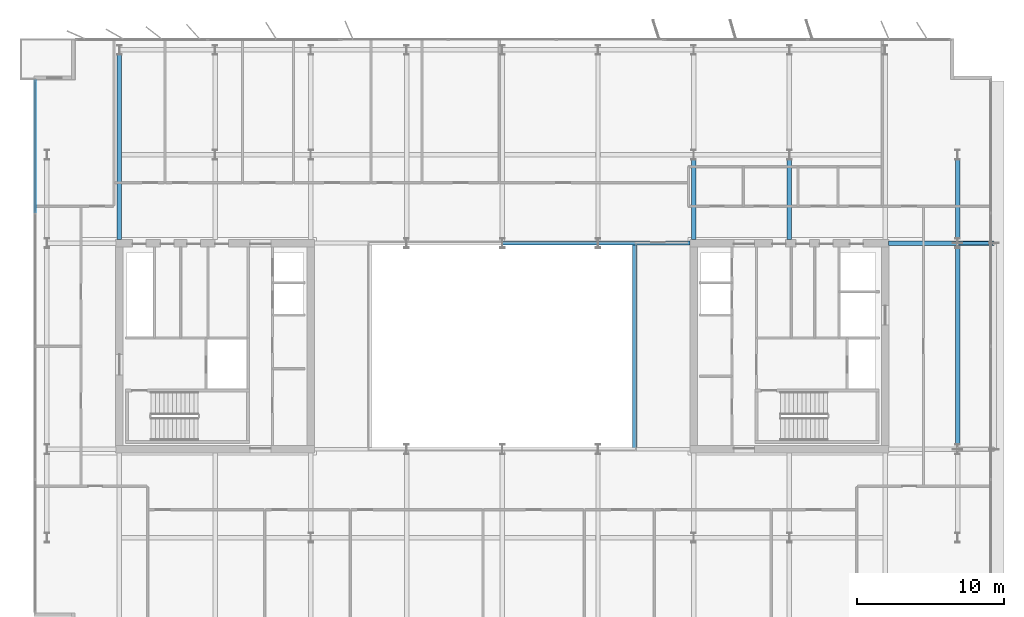
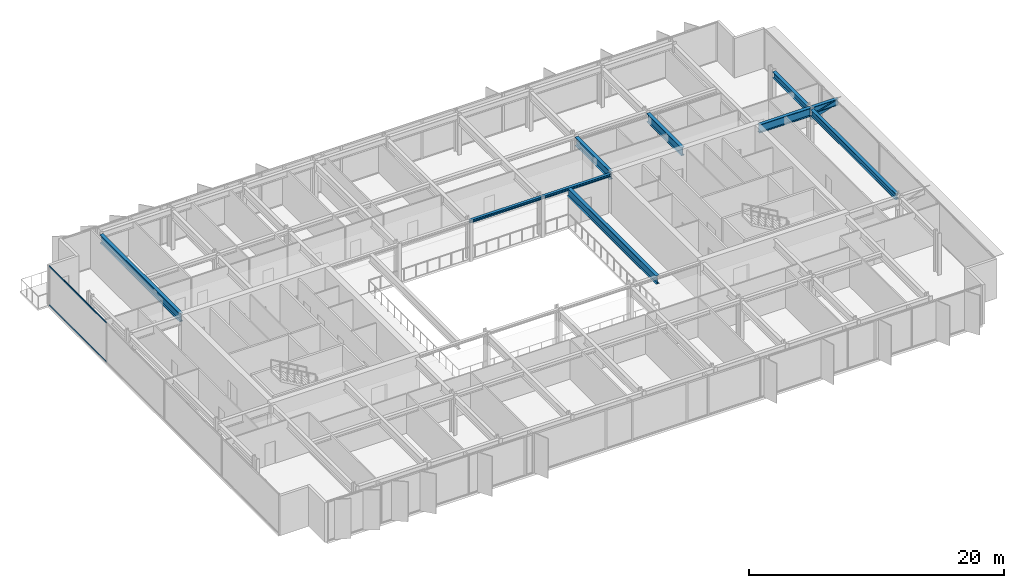
# One storey, part 7 of 21: 10 beams, 3 members, 1 element without a shape of its own.
"""IFC4 building model written with IfcOpenShell, lengths in metres."""

from ifc_helpers import new_model, si_unit, direction, frame, origin, origin_2d, place, context, subcontext, project, spatial, rectangle, hollow_rectangle, i_section, extrude, material, layer, layer_set, material_profile, profile_set, type_object, element, aggregate, save


model = new_model("IFC4")

# Units and contexts
model_context = context("Model", 3, precision=1e-05, world=origin(), true_north=direction((0.0, 1.0)))
body_context = subcontext(model_context, "Body", "Model", "MODEL_VIEW")
ifc_project = project(units=[si_unit("LENGTHUNIT", "METRE"), si_unit("AREAUNIT", "SQUARE_METRE"), si_unit("VOLUMEUNIT", "CUBIC_METRE"), si_unit("PLANEANGLEUNIT", "RADIAN"), si_unit("MASSUNIT", "GRAM", prefix="KILO")], contexts=[model_context])

# Site, building, storey
site_placement = place(None, origin())
site = spatial("IfcSite", under=ifc_project, at=site_placement, CompositionType="ELEMENT")
building_placement = place(site_placement, origin())
building = spatial("IfcBuilding", under=site, at=building_placement, Name="Putna Gate Headquarters", CompositionType="ELEMENT")
storey_placement = place(building_placement, frame((0.0, 0.0, 278.39990234375)))
storey = spatial("IfcBuildingStorey", under=building, at=storey_placement, Name="L70", CompositionType="ELEMENT", Elevation=278.39990234375)

# Beams
ifc_material_1 = material(Name="Steel S355J2", Category="steel")
ifc_material_profile_1 = material_profile(ifc_material_1, i_section(OverallWidth=0.260009765625, OverallDepth=0.260009765625, WebThickness=0.010009765625, FlangeThickness=0.017578125, at=origin_2d()), Name="Steel S355J2")
ifc_profile_set_1 = profile_set([ifc_material_profile_1], Name="Steel S355J2")
beam_type_1 = type_object("IfcBeamType", Name="BM-ATRIUM-HEB260", PredefinedType="BEAM", material=ifc_profile_set_1)
beam_1_placement = place(storey_placement, frame((39.006103515625, 33.0, 3.658203125), z_axis=(1.0, 0.0, 0.0), x_axis=(0.0, 1.0, 0.0)))
element("IfcBeam", 1, at=beam_1_placement, inside=storey, type_object=beam_type_1, Name="L70 Atrium Edge Beam AN3", PredefinedType="BEAM", context=body_context, shape_type="SweptSolid", body=[
    extrude(i_section(OverallWidth=0.260009765625, OverallDepth=0.260009765625, WebThickness=0.010009765625, FlangeThickness=0.017578125, at=origin_2d()), origin(), (0.0, 0.0, 1.0), 6.48779296875),
])
beam_2_placement = place(storey_placement, frame((45.506103515625, 33.0, 3.658203125), z_axis=(1.0, 0.0, 0.0), x_axis=(0.0, 1.0, 0.0)))
element("IfcBeam", 2, at=beam_2_placement, inside=storey, type_object=beam_type_1, Name="L70 Atrium Edge Beam AN4", PredefinedType="BEAM", context=body_context, shape_type="SweptSolid", body=[
    extrude(i_section(OverallWidth=0.260009765625, OverallDepth=0.260009765625, WebThickness=0.010009765625, FlangeThickness=0.017578125, at=origin_2d()), origin(), (0.0, 0.0, 1.0), 6.2587890625),
])
ifc_material_profile_2 = material_profile(ifc_material_1, i_section(OverallWidth=0.300048828125, OverallDepth=0.800048828125, WebThickness=0.017578125, FlangeThickness=0.032958984375, at=origin_2d()), Name="Steel S355J2")
ifc_profile_set_2 = profile_set([ifc_material_profile_2], Name="Steel S355J2")
beam_type_2 = type_object("IfcBeamType", Name="BM-GIRD-P-HEB800", PredefinedType="USERDEFINED", material=ifc_profile_set_2)
beam_3_placement = place(storey_placement, frame((65.235107421875, 33.0, 3.38818359375), z_axis=(1.0, 0.0, 0.0), x_axis=(0.0, 1.0, 0.0)))
element("IfcBeam", 3, at=beam_3_placement, inside=storey, type_object=beam_type_2, Name="L70 East Wing Girder Y33", ObjectType="GIRDER", PredefinedType="USERDEFINED", context=body_context, shape_type="SweptSolid", body=[
    extrude(i_section(OverallWidth=0.300048828125, OverallDepth=0.800048828125, WebThickness=0.017578125, FlangeThickness=0.032958984375, at=origin_2d()), origin(), (0.0, 0.0, 1.0), 4.678955078125),
])
beam_4_placement = place(storey_placement, frame((13.0, 33.235107421875, 3.38818359375), z_axis=(0.0, 1.0, 0.0), x_axis=(-1.0, 0.0, 0.0)))
element("IfcBeam", 4, at=beam_4_placement, inside=storey, type_object=beam_type_2, Name="L70 North Primary Girder X13", ObjectType="GIRDER", PredefinedType="USERDEFINED", context=body_context, shape_type="SweptSolid", body=[
    extrude(i_section(OverallWidth=0.300048828125, OverallDepth=0.800048828125, WebThickness=0.017578125, FlangeThickness=0.032958984375, at=origin_2d()), origin(), (0.0, 0.0, 1.0), 12.56298828125),
])
for number, where, z_axis, x_axis, name in (
    (5, (52.0, 33.235107421875, 3.38818359375), (0.0, 1.0, 0.0), (-1.0, 0.0, 0.0), "L70 North Primary Girder X52-1"),
    (6, (58.5, 33.235107421875, 3.38818359375), (0.0, 1.0, 0.0), (-1.0, 0.0, 0.0), "L70 North Primary Girder X58-1"),
):
    element("IfcBeam", number, at=place(storey_placement, frame(where, z_axis=z_axis, x_axis=x_axis)), inside=storey, type_object=beam_type_2, Name=name, ObjectType="GIRDER", PredefinedType="USERDEFINED", context=body_context, shape_type="SweptSolid", body=[
        extrude(i_section(OverallWidth=0.300048828125, OverallDepth=0.800048828125, WebThickness=0.017578125, FlangeThickness=0.032958984375, at=origin_2d()), origin(), (0.0, 0.0, 1.0), 5.44287109375),
    ])
beam_5_placement = place(storey_placement, frame((48.0, 19.010009765625, 3.38818359375), z_axis=(0.0, 1.0, 0.0), x_axis=(-1.0, 0.0, 0.0)))
element("IfcBeam", 7, at=beam_5_placement, inside=storey, type_object=beam_type_2, Name="L70 Atrium Trim Girder AE", ObjectType="GIRDER", PredefinedType="USERDEFINED", context=body_context, shape_type="SweptSolid", body=[
    extrude(i_section(OverallWidth=0.300048828125, OverallDepth=0.800048828125, WebThickness=0.017578125, FlangeThickness=0.032958984375, at=origin_2d()), origin(), (0.0, 0.0, 1.0), 13.97998046875),
])
ifc_material_profile_3 = material_profile(ifc_material_1, i_section(OverallWidth=0.300048828125, OverallDepth=0.60009765625, WebThickness=0.015380859375, FlangeThickness=0.030029296875, at=origin_2d()), Name="Steel S355J2")
ifc_profile_set_3 = profile_set([ifc_material_profile_3], Name="Steel S355J2")
beam_type_3 = type_object("IfcBeamType", Name="BM-GIRD-SAIL-HEB600", PredefinedType="USERDEFINED", material=ifc_profile_set_3)
beam_6_placement = place(storey_placement, frame((69.926025390625, 33.0, 3.488037109375), z_axis=(1.0, 0.0, 0.0), x_axis=(0.0, 1.0, 0.0)))
element("IfcBeam", 8, at=beam_6_placement, inside=storey, type_object=beam_type_3, Name="L70 East Sail Outrigger Bracket Y33", ObjectType="GIRDER", PredefinedType="USERDEFINED", context=body_context, shape_type="SweptSolid", body=[
    extrude(i_section(OverallWidth=0.300048828125, OverallDepth=0.60009765625, WebThickness=0.015380859375, FlangeThickness=0.030029296875, at=origin_2d()), origin(), (0.0, 0.0, 1.0), 2.472900390625),
])
ifc_material_profile_4 = material_profile(ifc_material_1, i_section(OverallWidth=0.300048828125, OverallDepth=0.590087890625, WebThickness=0.012939453125, FlangeThickness=0.02490234375, at=origin_2d()), Name="Steel S355J2")
ifc_profile_set_4 = profile_set([ifc_material_profile_4], Name="Steel S355J2")
beam_type_4 = type_object("IfcBeamType", Name="BM-SPAN-Z4-HEA600", PredefinedType="SPANDREL", material=ifc_profile_set_4)
beam_7_placement = place(storey_placement, frame((69.919921875, 19.322021484375, 3.4931640625), z_axis=(0.0, 1.0, 0.0), x_axis=(-1.0, 0.0, 0.0)))
element("IfcBeam", 9, at=beam_7_placement, inside=storey, type_object=beam_type_4, Name="L70 E End Spandrel 2", PredefinedType="SPANDREL", context=body_context, shape_type="SweptSolid", body=[
    extrude(i_section(OverallWidth=0.300048828125, OverallDepth=0.590087890625, WebThickness=0.012939453125, FlangeThickness=0.02490234375, at=origin_2d()), origin(), (0.0, 0.0, 1.0), 13.35595703125),
])
beam_8_placement = place(storey_placement, frame((69.919921875, 33.322021484375, 3.4931640625), z_axis=(0.0, 1.0, 0.0), x_axis=(-1.0, 0.0, 0.0)))
element("IfcBeam", 10, at=beam_8_placement, inside=storey, type_object=beam_type_4, Name="L70 E End Spandrel 3", PredefinedType="SPANDREL", context=body_context, shape_type="SweptSolid", body=[
    extrude(i_section(OverallWidth=0.300048828125, OverallDepth=0.590087890625, WebThickness=0.012939453125, FlangeThickness=0.02490234375, at=origin_2d()), origin(), (0.0, 0.0, 1.0), 5.35595703125),
])

# Member
ifc_material_2 = material(Name="Steel S460M", Category="steel")
ifc_material_profile_5 = material_profile(ifc_material_2, hollow_rectangle(XDim=0.25, YDim=0.39990234375, WallThickness=0.01611328125, at=origin_2d()), Name="Steel S460M")
ifc_profile_set_5 = profile_set([ifc_material_profile_5], Name="Steel S460M")
member_type_1 = type_object("IfcMemberType", Name="MEM-SAIL-BRACE-RHS400", PredefinedType="BRACE", material=ifc_profile_set_5)
member_1_placement = place(storey_placement, frame((69.93408203125, 33.0, 2.75634765625), z_axis=(0.949441853319, 0.0, 0.313942936163), x_axis=(0.0, 1.0, 0.0)))
element("IfcMember", 11, at=member_1_placement, inside=storey, type_object=member_type_1, Name="L70 East Sail Cantilever Raker Y33", PredefinedType="BRACE", context=body_context, shape_type="SweptSolid", body=[
    extrude(hollow_rectangle(XDim=0.25, YDim=0.39990234375, WallThickness=0.01611328125, at=origin_2d()), origin(), (0.0, 0.0, 1.0), 2.5654296875),
])

# Curtain wall, members
ifc_material_3 = material(Name="Anodised bronze aluminium curtain wall", Category="aluminium")
ifc_layer = layer(ifc_material_3, 0.179931640625)
ifc_layer_set = layer_set([ifc_layer], Name="Anodised bronze aluminium curtain wall")
curtain_wall_type = type_object("IfcCurtainWallType", Name="CW-SYS-Z5", PredefinedType="USERDEFINED", material=ifc_layer_set)
curtain_wall_placement = place(storey_placement, origin())
curtain_wall = element("IfcCurtainWall", 12, at=curtain_wall_placement, inside=storey, type_object=curtain_wall_type, Name="L70 West Curtain Wall", ObjectType="STICK CURTAIN WALL", PredefinedType="USERDEFINED")
ifc_material_4 = material(Name="Anodised bronze aluminium EN AW-6060", Category="aluminium")
ifc_material_profile_6 = material_profile(ifc_material_4, rectangle(XDim=0.06005859375, YDim=0.10009765625, at=origin_2d()), Name="Anodised bronze aluminium EN AW-6060")
ifc_profile_set_6 = profile_set([ifc_material_profile_6], Name="Anodised bronze aluminium EN AW-6060")
member_type_2 = type_object("IfcMemberType", Name="TRAN-CWT-5", PredefinedType="USERDEFINED", material=ifc_profile_set_6)
member_2_placement = place(storey_placement, frame((7.280029296875, 35.0849609375, 0.030029296875), z_axis=(0.0, 1.0, 0.0), x_axis=(-1.0, 0.0, 0.0)))
member_2 = element("IfcMember", 13, at=member_2_placement, type_object=member_type_2, Name="CWS-5 transom 4.1", ObjectType="TRANSOM", PredefinedType="USERDEFINED", context=body_context, shape_type="SweptSolid", body=[
    extrude(rectangle(XDim=0.06005859375, YDim=0.10009765625, at=origin_2d()), origin(), (0.0, 0.0, 1.0), 8.945068359375),
])
member_3_placement = place(storey_placement, frame((7.280029296875, 35.0849609375, 3.758056640625), z_axis=(0.0, 1.0, 0.0), x_axis=(-1.0, 0.0, 0.0)))
member_3 = element("IfcMember", 14, at=member_3_placement, type_object=member_type_2, Name="CWS-5 transom 4.2", ObjectType="TRANSOM", PredefinedType="USERDEFINED", context=body_context, shape_type="SweptSolid", body=[
    extrude(rectangle(XDim=0.06005859375, YDim=0.10009765625, at=origin_2d()), origin(), (0.0, 0.0, 1.0), 8.945068359375),
])
aggregate(curtain_wall, [member_2, member_3])

save(model, "model.ifc")
